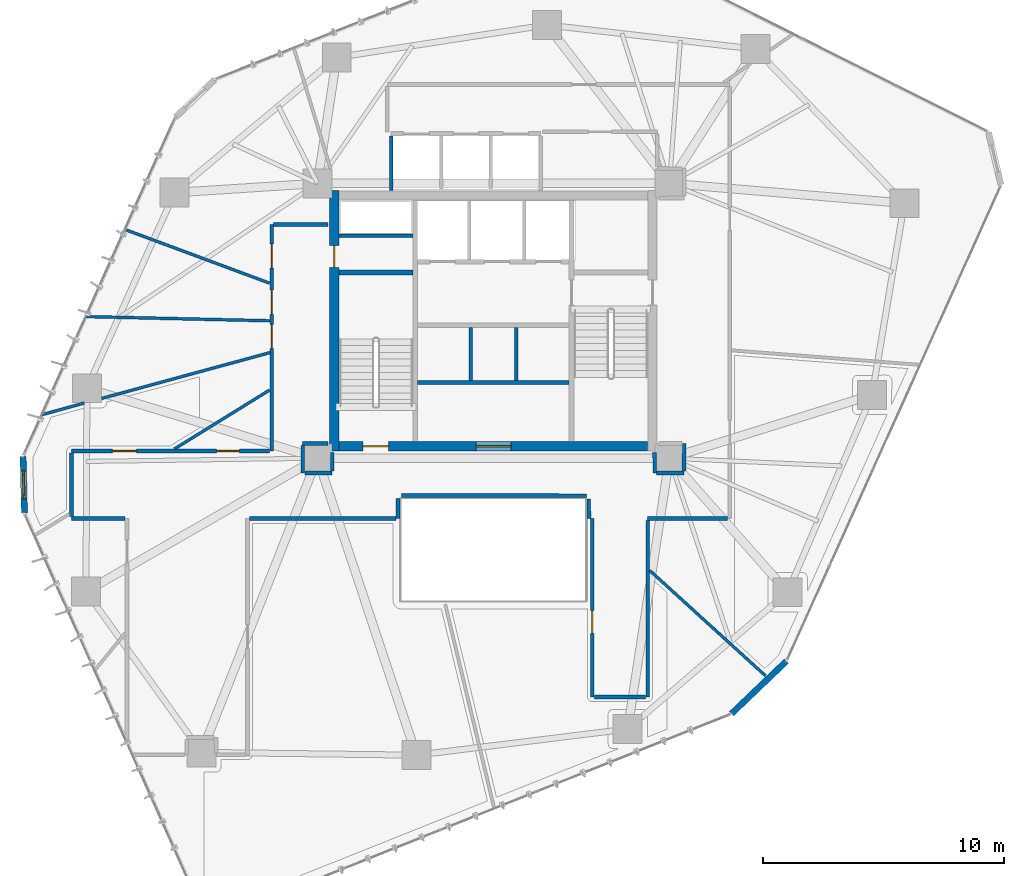
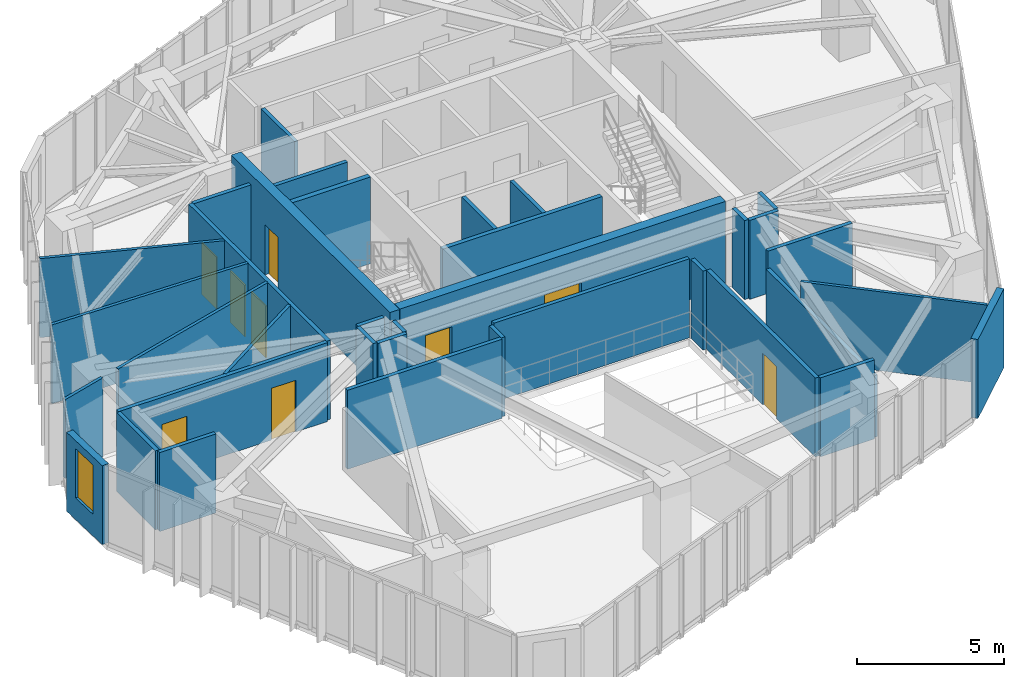
# One storey, part 17 of 22: 36 walls, 9 doors, 1 window, 10 openings.
"""IFC4 building model written with IfcOpenShell, lengths in metres."""

from ifc_helpers import new_model, si_unit, direction, frame, frame_2d, origin, place, context, subcontext, project, spatial, rectangle, extrude, source, transform, mapped, material, layer, layer_set, type_object, type_shapes, element, fill, save


model = new_model("IFC4")

# Units and contexts
model_context = context("Model", 3, precision=1e-05, world=origin(), true_north=direction((0.0, 1.0)))
body_context = subcontext(model_context, "Body", "Model", "MODEL_VIEW")
ifc_project = project(units=[si_unit("LENGTHUNIT", "METRE"), si_unit("AREAUNIT", "SQUARE_METRE"), si_unit("VOLUMEUNIT", "CUBIC_METRE"), si_unit("PLANEANGLEUNIT", "RADIAN"), si_unit("MASSUNIT", "GRAM", prefix="KILO")], contexts=[model_context])

# Site, building, storey
site_placement = place(None, origin())
site = spatial("IfcSite", under=ifc_project, at=site_placement, CompositionType="ELEMENT")
building_placement = place(site_placement, origin())
building = spatial("IfcBuilding", under=site, at=building_placement, Name="Talar Marvaseh", CompositionType="ELEMENT")
storey_placement = place(building_placement, frame((0.0, 0.0, 154.199951171875)))
storey = spatial("IfcBuildingStorey", under=building, at=storey_placement, Name="L40", CompositionType="ELEMENT", Elevation=154.199951171875)

# Wall, opening, window
ifc_material_1 = material(Name="Precast concrete C45/55", Category="concrete")
ifc_layer_1 = layer(ifc_material_1, 0.2548828125)
ifc_layer_set_1 = layer_set([ifc_layer_1], Name="Precast concrete C45/55")
wall_type_1 = type_object("IfcWallType", Name="Chamfered Hexagonal Corner Pier Wall Z2 255", PredefinedType="SOLIDWALL", material=ifc_layer_set_1)
wall_1_placement = place(storey_placement, frame((6.54638671875, 23.2275390625, 0.0), z_axis=(0.0, 0.0, 1.0), x_axis=(-0.024093160645, 0.999709717673, 0.0)))
wall_1 = element("IfcWall", 1, at=wall_1_placement, inside=storey, type_object=wall_type_1, Name="L40 Chamfered Corner Limestone Pier 2", PredefinedType="SOLIDWALL", context=body_context, shape_type="SweptSolid", body=[
    extrude(rectangle(XDim=2.3408203125, YDim=0.2548828125, at=frame_2d((1.17041015625, 0.0))), origin(), (0.0, 0.0, 1.0), 3.280029296875),
])
opening_1_placement = place(wall_1_placement, frame((0.594970703125, 0.0, 0.89990234375)))
opening_1 = element("IfcOpeningElement", 2, at=opening_1_placement, cuts=wall_1, Name="Opening WN-CHM11", PredefinedType="OPENING", context=body_context, shape_type="SweptSolid", body=[
    extrude(rectangle(XDim=1.14990234375, YDim=2.050048828125, at=frame_2d((0.574951171875, 1.02490234375))), frame((0.0, 0.137451171875, 0.0), z_axis=(0.0, -1.0, 0.0), x_axis=(1.0, 0.0, 0.0)), (0.0, 0.0, 1.0), 0.27490234375),
])
ifc_material_2 = material(Name="Laminated Low-E Solar Glass", Category="glass")
window_type = type_object("IfcWindowType", Name="Zone 2 Chamfered Corner Slot Window 1150x2050", PartitioningType="SINGLE_PANEL", PredefinedType="WINDOW", material=ifc_material_2)
shared_shape_1 = source(origin(), body_context, "Body", "SweptSolid", [
    extrude(rectangle(XDim=1.14990234375, YDim=2.050048828125, at=frame_2d((0.574951171875, 1.02490234375))), frame((0.0, 0.030029296875, 0.0), z_axis=(0.0, -1.0, 0.0), x_axis=(1.0, 0.0, 0.0)), (0.0, 0.0, 1.0), 0.06005859375),
])
type_shapes(window_type, [shared_shape_1])
window_placement = place(opening_1_placement, origin())
window = element("IfcWindow", 3, at=window_placement, inside=storey, type_object=window_type, Name="L40 Chamfered Corner Slot Window", OverallHeight=2.050048828125, OverallWidth=1.14990234375, PartitioningType="SINGLE_PANEL", PredefinedType="WINDOW", context=body_context, shape_type="MappedRepresentation", body=[
    mapped(shared_shape_1, transform((0.0, 0.0, 0.0), x_axis=(1.0, 0.0, 0.0), y_axis=(0.0, 1.0, 0.0), z_axis=(0.0, 0.0, 1.0), scale=1.0)),
])
fill(opening_1, window)

# Walls
wall_2_placement = place(storey_placement, frame((38.15576171875, 17.083251953125, 0.0), z_axis=(0.0, 0.0, 1.0), x_axis=(-0.722337616241, -0.691540575934, 0.0)))
element("IfcWall", 4, at=wall_2_placement, inside=storey, type_object=wall_type_1, Name="L40 Chamfered Corner Limestone Pier 6", PredefinedType="SOLIDWALL", context=body_context, shape_type="SweptSolid", body=[
    extrude(rectangle(XDim=3.155029296875, YDim=0.2548828125, at=frame_2d((1.57763671875, 0.0))), origin(), (0.0, 0.0, 1.0), 3.280029296875),
])
ifc_material_3 = material(Name="Gypsum Board Partition Assembly")
ifc_layer_2 = layer(ifc_material_3, 0.155029296875)
ifc_layer_set_2 = layer_set([ifc_layer_2], Name="Gypsum Board Partition Assembly")
wall_type_2 = type_object("IfcWallType", Name="Corridor Fire-Rated Acoustic Partition 155", PredefinedType="PARTITIONING", material=ifc_layer_set_2)
wall_3_placement = place(storey_placement, frame((19.60009765625, 34.72998046875, 0.0), z_axis=(0.0, 0.0, 1.0), x_axis=(1.0, 0.0, 0.0)))
element("IfcWall", 5, at=wall_3_placement, inside=storey, type_object=wall_type_2, Name="L40 Core BOH Partition", PredefinedType="PARTITIONING", context=body_context, shape_type="SweptSolid", body=[
    extrude(rectangle(XDim=3.059814453125, YDim=0.155029296875, at=frame_2d((1.52978515625, 0.0))), origin(), (0.0, 0.0, 1.0), 3.280029296875),
])

# Wall, openings, doors
wall_4_placement = place(storey_placement, frame((16.800048828125, 25.800048828125, 0.0), z_axis=(0.0, 0.0, 1.0), x_axis=(0.0, 1.0, 0.0)))
wall_4 = element("IfcWall", 6, at=wall_4_placement, inside=storey, type_object=wall_type_2, Name="L40 Interior Partition Wall", PredefinedType="PARTITIONING", context=body_context, shape_type="SweptSolid", body=[
    extrude(rectangle(XDim=9.39990234375, YDim=0.155029296875, at=frame_2d((4.699951171875, 0.0))), origin(), (0.0, 0.0, 1.0), 3.280029296875),
])
opening_2_placement = place(wall_4_placement, frame((7.595947265625, 0.0, 0.0)))
opening_2 = element("IfcOpeningElement", 7, at=opening_2_placement, cuts=wall_4, Name="Opening DR-RM100", PredefinedType="OPENING", context=body_context, shape_type="SweptSolid", body=[
    extrude(rectangle(XDim=1.0, YDim=2.14990234375, at=frame_2d((0.5, 1.074951171875))), frame((0.0, 0.08740234375, 0.0), z_axis=(0.0, -1.0, 0.0), x_axis=(1.0, 0.0, 0.0)), (0.0, 0.0, 1.0), 0.175048828125),
])
opening_3_placement = place(wall_4_placement, frame((5.669921875, 0.0, 0.0)))
opening_3 = element("IfcOpeningElement", 8, at=opening_3_placement, cuts=wall_4, Name="Opening DR-RM100", PredefinedType="OPENING", context=body_context, shape_type="SweptSolid", body=[
    extrude(rectangle(XDim=1.0, YDim=2.14990234375, at=frame_2d((0.5, 1.074951171875))), frame((0.0, 0.08740234375, 0.0), z_axis=(0.0, -1.0, 0.0), x_axis=(1.0, 0.0, 0.0)), (0.0, 0.0, 1.0), 0.175048828125),
])
opening_4_placement = place(wall_4_placement, frame((4.24755859375, 0.0, 0.0)))
opening_4 = element("IfcOpeningElement", 9, at=opening_4_placement, cuts=wall_4, Name="Opening DR-RM100", PredefinedType="OPENING", context=body_context, shape_type="SweptSolid", body=[
    extrude(rectangle(XDim=1.0, YDim=2.14990234375, at=frame_2d((0.5, 1.074951171875))), frame((0.0, 0.08740234375, 0.0), z_axis=(0.0, -1.0, 0.0), x_axis=(1.0, 0.0, 0.0)), (0.0, 0.0, 1.0), 0.175048828125),
])
ifc_material_4 = material(Name="Acoustic Engineered Oak Timber", Category="wood")
door_type_1 = type_object("IfcDoorType", Name="Corridor Fire-Rated Gallery Door 1000x2150", OperationType="NOTDEFINED", PredefinedType="DOOR", material=ifc_material_4)
shared_shape_2 = source(origin(), body_context, "Body", "SweptSolid", [
    extrude(rectangle(XDim=1.0, YDim=2.14990234375, at=frame_2d((0.5, 1.074951171875))), frame((0.0, 0.02490234375, 0.0), z_axis=(0.0, -1.0, 0.0), x_axis=(1.0, 0.0, 0.0)), (0.0, 0.0, 1.0), 0.050048828125),
])
type_shapes(door_type_1, [shared_shape_2])
door_1_placement = place(opening_2_placement, origin())
door_1 = element("IfcDoor", 10, at=door_1_placement, inside=storey, type_object=door_type_1, Name="L40 Quiet Research Study Door", OperationType="SINGLE_SWING_RIGHT", OverallHeight=2.14990234375, OverallWidth=1.0, PredefinedType="DOOR", context=body_context, shape_type="MappedRepresentation", body=[
    mapped(shared_shape_2, transform((0.0, 0.0, 0.0), x_axis=(1.0, 0.0, 0.0), y_axis=(0.0, 1.0, 0.0), z_axis=(0.0, 0.0, 1.0), scale=1.0)),
])
fill(opening_2, door_1)
door_2_placement = place(opening_3_placement, origin())
door_2 = element("IfcDoor", 11, at=door_2_placement, inside=storey, type_object=door_type_1, Name="L40 Editorial Administration Office Door", OperationType="SINGLE_SWING_LEFT", OverallHeight=2.14990234375, OverallWidth=1.0, PredefinedType="DOOR", context=body_context, shape_type="MappedRepresentation", body=[
    mapped(shared_shape_2, transform((0.0, 0.0, 0.0), x_axis=(1.0, 0.0, 0.0), y_axis=(0.0, 1.0, 0.0), z_axis=(0.0, 0.0, 1.0), scale=1.0)),
])
fill(opening_3, door_2)
door_3_placement = place(opening_4_placement, origin())
door_3 = element("IfcDoor", 12, at=door_3_placement, inside=storey, type_object=door_type_1, Name="L40 Curatorial Office 2 Door", OperationType="SINGLE_SWING_RIGHT", OverallHeight=2.14990234375, OverallWidth=1.0, PredefinedType="DOOR", context=body_context, shape_type="MappedRepresentation", body=[
    mapped(shared_shape_2, transform((0.0, 0.0, 0.0), x_axis=(1.0, 0.0, 0.0), y_axis=(0.0, 1.0, 0.0), z_axis=(0.0, 0.0, 1.0), scale=1.0)),
])
fill(opening_4, door_3)

# Wall, opening, door
wall_5_placement = place(storey_placement, frame((30.10009765625, 15.60009765625, 0.0), z_axis=(0.0, 0.0, 1.0), x_axis=(0.0, 1.0, 0.0)))
wall_5 = element("IfcWall", 13, at=wall_5_placement, inside=storey, type_object=wall_type_2, Name="L40 Interior Partition Wall", PredefinedType="PARTITIONING", context=body_context, shape_type="SweptSolid", body=[
    extrude(rectangle(XDim=7.39990234375, YDim=0.155029296875, at=frame_2d((3.699951171875, 0.0))), origin(), (0.0, 0.0, 1.0), 3.280029296875),
])
opening_5_placement = place(wall_5_placement, frame((2.633056640625, 0.0, 0.0)))
opening_5 = element("IfcOpeningElement", 14, at=opening_5_placement, cuts=wall_5, Name="Opening DR-WC095", PredefinedType="OPENING", context=body_context, shape_type="SweptSolid", body=[
    extrude(rectangle(XDim=0.949951171875, YDim=2.14990234375, at=frame_2d((0.47509765625, 1.074951171875))), frame((0.0, 0.08740234375, 0.0), z_axis=(0.0, -1.0, 0.0), x_axis=(1.0, 0.0, 0.0)), (0.0, 0.0, 1.0), 0.175048828125),
])
door_type_2 = type_object("IfcDoorType", Name="Washroom and Service Room Door 950x2150", OperationType="NOTDEFINED", PredefinedType="DOOR", material=ifc_material_4)
shared_shape_3 = source(origin(), body_context, "Body", "SweptSolid", [
    extrude(rectangle(XDim=0.949951171875, YDim=2.14990234375, at=frame_2d((0.47509765625, 1.074951171875))), frame((0.0, 0.02490234375, 0.0), z_axis=(0.0, -1.0, 0.0), x_axis=(1.0, 0.0, 0.0)), (0.0, 0.0, 1.0), 0.050048828125),
])
type_shapes(door_type_2, [shared_shape_3])
door_4_placement = place(opening_5_placement, origin())
door_4 = element("IfcDoor", 15, at=door_4_placement, inside=storey, type_object=door_type_2, Name="L40 Scholars' Servery Pantry Door", OperationType="SINGLE_SWING_LEFT", OverallHeight=2.14990234375, OverallWidth=0.949951171875, PredefinedType="DOOR", context=body_context, shape_type="MappedRepresentation", body=[
    mapped(shared_shape_3, transform((0.0, 0.0, 0.0), x_axis=(1.0, 0.0, 0.0), y_axis=(0.0, 1.0, 0.0), z_axis=(0.0, 0.0, 1.0), scale=1.0)),
])
fill(opening_5, door_4)

# Wall, openings, doors
wall_6_placement = place(storey_placement, frame((8.5, 25.800048828125, 0.0), z_axis=(0.0, 0.0, 1.0), x_axis=(1.0, 0.0, 0.0)))
wall_6 = element("IfcWall", 16, at=wall_6_placement, inside=storey, type_object=wall_type_2, Name="L40 Interior Partition Wall", PredefinedType="PARTITIONING", context=body_context, shape_type="SweptSolid", body=[
    extrude(rectangle(XDim=8.216552734375, YDim=0.155029296875, at=frame_2d((4.1083984375, 0.0))), origin(), (0.0, 0.0, 1.0), 3.280029296875),
])
opening_6_placement = place(wall_6_placement, frame((1.698974609375, 0.0, 0.0)))
opening_6 = element("IfcOpeningElement", 17, at=opening_6_placement, cuts=wall_6, Name="Opening DR-RM100", PredefinedType="OPENING", context=body_context, shape_type="SweptSolid", body=[
    extrude(rectangle(XDim=1.0, YDim=2.14990234375, at=frame_2d((0.5, 1.074951171875))), frame((0.0, 0.08740234375, 0.0), z_axis=(0.0, -1.0, 0.0), x_axis=(1.0, 0.0, 0.0)), (0.0, 0.0, 1.0), 0.175048828125),
])
opening_7_placement = place(wall_6_placement, frame((6.015625, 0.0, 0.0)))
opening_7 = element("IfcOpeningElement", 18, at=opening_7_placement, cuts=wall_6, Name="Opening DR-WC095", PredefinedType="OPENING", context=body_context, shape_type="SweptSolid", body=[
    extrude(rectangle(XDim=0.949951171875, YDim=2.14990234375, at=frame_2d((0.47509765625, 1.074951171875))), frame((0.0, 0.08740234375, 0.0), z_axis=(0.0, -1.0, 0.0), x_axis=(1.0, 0.0, 0.0)), (0.0, 0.0, 1.0), 0.175048828125),
])
door_5_placement = place(opening_7_placement, origin())
door_5 = element("IfcDoor", 19, at=door_5_placement, inside=storey, type_object=door_type_2, Name="L40 WC Public Washrooms Door", OperationType="SINGLE_SWING_RIGHT", OverallHeight=2.14990234375, OverallWidth=0.949951171875, PredefinedType="DOOR", context=body_context, shape_type="MappedRepresentation", body=[
    mapped(shared_shape_3, transform((0.0, 0.0, 0.0), x_axis=(1.0, 0.0, 0.0), y_axis=(0.0, 1.0, 0.0), z_axis=(0.0, 0.0, 1.0), scale=1.0)),
])
fill(opening_7, door_5)
door_6_placement = place(opening_6_placement, origin())
door_6 = element("IfcDoor", 20, at=door_6_placement, inside=storey, type_object=door_type_1, Name="L40 Curatorial Office Door", OperationType="SINGLE_SWING_LEFT", OverallHeight=2.14990234375, OverallWidth=1.0, PredefinedType="DOOR", context=body_context, shape_type="MappedRepresentation", body=[
    mapped(shared_shape_2, transform((0.0, 0.0, 0.0), x_axis=(1.0, 0.0, 0.0), y_axis=(0.0, 1.0, 0.0), z_axis=(0.0, 0.0, 1.0), scale=1.0)),
])
fill(opening_6, door_6)

# Walls
wall_7_placement = place(storey_placement, frame((16.883544921875, 35.199951171875, 0.0), z_axis=(0.0, 0.0, 1.0), x_axis=(1.0, 0.0, 0.0)))
element("IfcWall", 21, at=wall_7_placement, inside=storey, type_object=wall_type_2, Name="L40 Interior Partition Wall", PredefinedType="PARTITIONING", context=body_context, shape_type="SweptSolid", body=[
    extrude(rectangle(XDim=2.246337890625, YDim=0.155029296875, at=frame_2d((1.123046875, 0.0))), origin(), (0.0, 0.0, 1.0), 3.280029296875),
])
wall_8_placement = place(storey_placement, frame((19.1298828125, 26.114990234375, 0.0), z_axis=(0.0, 0.0, 1.0), x_axis=(-0.999986702653, -0.005156987215, 0.0)))
element("IfcWall", 22, at=wall_8_placement, inside=storey, type_object=wall_type_2, Name="L40 Interior Partition Wall", PredefinedType="PARTITIONING", context=body_context, shape_type="SweptSolid", body=[
    extrude(rectangle(XDim=1.04150390625, YDim=0.155029296875, at=frame_2d((0.520751953125, 0.0))), origin(), (0.0, 0.0, 1.0), 3.280029296875),
])
wall_9_placement = place(storey_placement, frame((18.088623046875, 26.02587890625, 0.0), z_axis=(0.0, 0.0, 1.0), x_axis=(0.002787893948, -0.999996113816, 0.0)))
element("IfcWall", 23, at=wall_9_placement, inside=storey, type_object=wall_type_2, Name="L40 Interior Partition Wall", PredefinedType="PARTITIONING", context=body_context, shape_type="SweptSolid", body=[
    extrude(rectangle(XDim=1.138427734375, YDim=0.155029296875, at=frame_2d((0.5693359375, 0.0))), origin(), (0.0, 0.0, 1.0), 3.280029296875),
])
wall_10_placement = place(storey_placement, frame((18.17529296875, 24.8876953125, 0.0), z_axis=(0.0, 0.0, 1.0), x_axis=(0.999999791525, 0.000645716611, 0.0)))
element("IfcWall", 24, at=wall_10_placement, inside=storey, type_object=wall_type_2, Name="L40 Interior Partition Wall", PredefinedType="PARTITIONING", context=body_context, shape_type="SweptSolid", body=[
    extrude(rectangle(XDim=1.13427734375, YDim=0.155029296875, at=frame_2d((0.567138671875, 0.0))), origin(), (0.0, 0.0, 1.0), 3.280029296875),
])
wall_11_placement = place(storey_placement, frame((19.31005859375, 24.971923828125, 0.0), z_axis=(0.0, 0.0, 1.0), x_axis=(0.006441090216, 0.999979255963, 0.0)))
element("IfcWall", 25, at=wall_11_placement, inside=storey, type_object=wall_type_2, Name="L40 Interior Partition Wall", PredefinedType="PARTITIONING", context=body_context, shape_type="SweptSolid", body=[
    extrude(rectangle(XDim=0.758056640625, YDim=0.155029296875, at=frame_2d((0.37890625, 0.0))), origin(), (0.0, 0.0, 1.0), 3.280029296875),
])
wall_12_placement = place(storey_placement, frame((32.68505859375, 25.72998046875, 0.0), z_axis=(0.0, 0.0, 1.0), x_axis=(0.006382231486, -0.999979633353, 0.0)))
element("IfcWall", 26, at=wall_12_placement, inside=storey, type_object=wall_type_2, Name="L40 Interior Partition Wall", PredefinedType="PARTITIONING", context=body_context, shape_type="SweptSolid", body=[
    extrude(rectangle(XDim=0.841552734375, YDim=0.155029296875, at=frame_2d((0.4208984375, 0.0))), origin(), (0.0, 0.0, 1.0), 3.280029296875),
])
wall_13_placement = place(storey_placement, frame((32.77392578125, 24.88818359375, 0.0), z_axis=(0.0, 0.0, 1.0), x_axis=(0.999999164303, -0.001292823742, 0.0)))
element("IfcWall", 27, at=wall_13_placement, inside=storey, type_object=wall_type_2, Name="L40 Interior Partition Wall", PredefinedType="PARTITIONING", context=body_context, shape_type="SweptSolid", body=[
    extrude(rectangle(XDim=1.133056640625, YDim=0.155029296875, at=frame_2d((0.56640625, 0.0))), origin(), (0.0, 0.0, 1.0), 3.280029296875),
])
wall_14_placement = place(storey_placement, frame((33.907470703125, 24.97021484375, 0.0), z_axis=(0.0, 0.0, 1.0), x_axis=(0.003642572792, 0.99999336581, 0.0)))
element("IfcWall", 28, at=wall_14_placement, inside=storey, type_object=wall_type_2, Name="L40 Interior Partition Wall", PredefinedType="PARTITIONING", context=body_context, shape_type="SweptSolid", body=[
    extrude(rectangle(XDim=1.139404296875, YDim=0.155029296875, at=frame_2d((0.56982421875, 0.0))), origin(), (0.0, 0.0, 1.0), 3.280029296875),
])
wall_15_placement = place(storey_placement, frame((35.716552734375, 23.0, 0.0), z_axis=(0.0, 0.0, 1.0), x_axis=(-1.0, 0.0, 0.0)))
element("IfcWall", 29, at=wall_15_placement, inside=storey, type_object=wall_type_2, Name="L40 Interior Partition Wall", PredefinedType="PARTITIONING", context=body_context, shape_type="SweptSolid", body=[
    extrude(rectangle(XDim=3.316650390625, YDim=0.155029296875, at=frame_2d((1.658203125, 0.0))), origin(), (0.0, 0.0, 1.0), 3.280029296875),
])
wall_16_placement = place(storey_placement, frame((32.39990234375, 22.91650390625, 0.0), z_axis=(0.0, 0.0, 1.0), x_axis=(0.0, -1.0, 0.0)))
element("IfcWall", 30, at=wall_16_placement, inside=storey, type_object=wall_type_2, Name="L40 Interior Partition Wall", PredefinedType="PARTITIONING", context=body_context, shape_type="SweptSolid", body=[
    extrude(rectangle(XDim=7.31640625, YDim=0.155029296875, at=frame_2d((3.658203125, 0.0))), origin(), (0.0, 0.0, 1.0), 2.56005859375),
])
wall_17_placement = place(storey_placement, frame((32.31640625, 15.60009765625, 0.0), z_axis=(0.0, 0.0, 1.0), x_axis=(-1.0, 0.0, 0.0)))
element("IfcWall", 31, at=wall_17_placement, inside=storey, type_object=wall_type_2, Name="L40 Interior Partition Wall", PredefinedType="PARTITIONING", context=body_context, shape_type="SweptSolid", body=[
    extrude(rectangle(XDim=2.1328125, YDim=0.155029296875, at=frame_2d((1.06640625, 0.0))), origin(), (0.0, 0.0, 1.0), 3.280029296875),
])
wall_18_placement = place(storey_placement, frame((29.9599609375, 23.0, 0.0), z_axis=(0.0, 0.0, 1.0), x_axis=(-0.000897934388, 0.999999596857, 0.0)))
element("IfcWall", 32, at=wall_18_placement, inside=storey, type_object=wall_type_2, Name="L40 Interior Partition Wall", PredefinedType="PARTITIONING", context=body_context, shape_type="SweptSolid", body=[
    extrude(rectangle(XDim=0.815673828125, YDim=0.155029296875, at=frame_2d((0.40771484375, 0.0))), origin(), (0.0, 0.0, 1.0), 3.280029296875),
])
wall_19_placement = place(storey_placement, frame((29.861083984375, 23.94775390625, 0.0), z_axis=(0.0, 0.0, 1.0), x_axis=(-0.999998882907, 0.001494719104, 0.0)))
element("IfcWall", 33, at=wall_19_placement, inside=storey, type_object=wall_type_2, Name="L40 Interior Partition Wall", PredefinedType="PARTITIONING", context=body_context, shape_type="SweptSolid", body=[
    extrude(rectangle(XDim=7.6767578125, YDim=0.155029296875, at=frame_2d((3.83837890625, 0.0))), origin(), (0.0, 0.0, 1.0), 3.280029296875),
])
wall_20_placement = place(storey_placement, frame((22.043212890625, 23.831298828125, 0.0), z_axis=(0.0, 0.0, 1.0), x_axis=(-0.003817887006, -0.999992711843, 0.0)))
element("IfcWall", 34, at=wall_20_placement, inside=storey, type_object=wall_type_2, Name="L40 Interior Partition Wall", PredefinedType="PARTITIONING", context=body_context, shape_type="SweptSolid", body=[
    extrude(rectangle(XDim=0.831298828125, YDim=0.155029296875, at=frame_2d((0.41552734375, 0.0))), origin(), (0.0, 0.0, 1.0), 3.280029296875),
])
wall_21_placement = place(storey_placement, frame((21.95654296875, 23.0, 0.0), z_axis=(0.0, 0.0, 1.0), x_axis=(-1.0, 0.0, 0.0)))
element("IfcWall", 35, at=wall_21_placement, inside=storey, type_object=wall_type_2, Name="L40 Interior Partition Wall", PredefinedType="PARTITIONING", context=body_context, shape_type="SweptSolid", body=[
    extrude(rectangle(XDim=6.072998046875, YDim=0.155029296875, at=frame_2d((3.03662109375, 0.0))), origin(), (0.0, 0.0, 1.0), 3.280029296875),
])
wall_22_placement = place(storey_placement, frame((10.716552734375, 23.0, 0.0), z_axis=(0.0, 0.0, 1.0), x_axis=(-1.0, 0.0, 0.0)))
element("IfcWall", 36, at=wall_22_placement, inside=storey, type_object=wall_type_2, Name="L40 Interior Partition Wall", PredefinedType="PARTITIONING", context=body_context, shape_type="SweptSolid", body=[
    extrude(rectangle(XDim=2.216552734375, YDim=0.155029296875, at=frame_2d((1.1083984375, 0.0))), origin(), (0.0, 0.0, 1.0), 3.280029296875),
])
wall_23_placement = place(storey_placement, frame((8.5, 23.08349609375, 0.0), z_axis=(0.0, 0.0, 1.0), x_axis=(0.0, 1.0, 0.0)))
element("IfcWall", 37, at=wall_23_placement, inside=storey, type_object=wall_type_2, Name="L40 Interior Partition Wall", PredefinedType="PARTITIONING", context=body_context, shape_type="SweptSolid", body=[
    extrude(rectangle(XDim=2.633056640625, YDim=0.155029296875, at=frame_2d((1.31640625, 0.0))), origin(), (0.0, 0.0, 1.0), 3.280029296875),
])
ifc_layer_3 = layer(ifc_material_3, 0.1201171875)
ifc_layer_set_3 = layer_set([ifc_layer_3], Name="Gypsum Board Partition Assembly")
wall_type_3 = type_object("IfcWallType", Name="Demountable Studio Room Partition 120", PredefinedType="PARTITIONING", material=ifc_layer_set_3)
wall_24_placement = place(storey_placement, frame((16.716552734375, 28.328369140625, 0.0), z_axis=(0.0, 0.0, 1.0), x_axis=(-0.850403959132, -0.526130313033, 0.0)))
element("IfcWall", 38, at=wall_24_placement, inside=storey, type_object=wall_type_3, Name="L40 Interior Partition Wall", PredefinedType="PARTITIONING", context=body_context, shape_type="SweptSolid", body=[
    extrude(rectangle(XDim=4.646728515625, YDim=0.1201171875, at=frame_2d((2.3232421875, 0.0))), origin(), (0.0, 0.0, 1.0), 3.280029296875),
])
wall_25_placement = place(storey_placement, frame((7.286376953125, 27.30810546875, 0.0), z_axis=(0.0, 0.0, 1.0), x_axis=(0.963861272147, 0.266404669731, 0.0)))
element("IfcWall", 39, at=wall_25_placement, inside=storey, type_object=wall_type_3, Name="L40 Interior Partition Wall", PredefinedType="PARTITIONING", context=body_context, shape_type="SweptSolid", body=[
    extrude(rectangle(XDim=1.80908203125, YDim=0.1201171875, at=frame_2d((0.904541015625, 0.0))), origin(), (0.0, 0.0, 1.0), 3.280029296875),
])
wall_26_placement = place(storey_placement, frame((9.75, 27.97998046875, 0.0), z_axis=(0.0, 0.0, 1.0), x_axis=(0.964861780879, 0.26275795668, 0.0)))
element("IfcWall", 40, at=wall_26_placement, inside=storey, type_object=wall_type_3, Name="L40 Interior Partition Wall", PredefinedType="PARTITIONING", context=body_context, shape_type="SweptSolid", body=[
    extrude(rectangle(XDim=7.24169921875, YDim=0.1201171875, at=frame_2d((3.620849609375, 0.0))), origin(), (0.0, 0.0, 1.0), 3.280029296875),
])
wall_27_placement = place(storey_placement, frame((32.4833984375, 20.843994140625, 0.0), z_axis=(0.0, 0.0, 1.0), x_axis=(0.739817550942, -0.672807544041, 0.0)))
element("IfcWall", 41, at=wall_27_placement, inside=storey, type_object=wall_type_3, Name="L40 Interior Partition Wall", PredefinedType="PARTITIONING", context=body_context, shape_type="SweptSolid", body=[
    extrude(rectangle(XDim=6.492431640625, YDim=0.1201171875, at=frame_2d((3.24609375, 0.0))), origin(), (0.0, 0.0, 1.0), 3.280029296875),
])
wall_28_placement = place(storey_placement, frame((16.716552734375, 32.760986328125, 0.0), z_axis=(0.0, 0.0, 1.0), x_axis=(-0.93749915197, 0.347987557328, 0.0)))
element("IfcWall", 42, at=wall_28_placement, inside=storey, type_object=wall_type_3, Name="L40 Interior Partition Wall", PredefinedType="PARTITIONING", context=body_context, shape_type="SweptSolid", body=[
    extrude(rectangle(XDim=6.37744140625, YDim=0.1201171875, at=frame_2d((3.188720703125, 0.0))), origin(), (0.0, 0.0, 1.0), 3.280029296875),
])
wall_29_placement = place(storey_placement, frame((16.735107421875, 31.201416015625, 0.0), z_axis=(0.0, 0.0, 1.0), x_axis=(-0.999742000913, 0.022714128009, 0.0)))
element("IfcWall", 43, at=wall_29_placement, inside=storey, type_object=wall_type_3, Name="L40 Interior Partition Wall", PredefinedType="PARTITIONING", context=body_context, shape_type="SweptSolid", body=[
    extrude(rectangle(XDim=7.62060546875, YDim=0.1201171875, at=frame_2d((3.810302734375, 0.0))), origin(), (0.0, 0.0, 1.0), 3.280029296875),
])
ifc_layer_4 = layer(ifc_material_1, 0.14501953125)
ifc_layer_set_4 = layer_set([ifc_layer_4], Name="Precast concrete C45/55")
wall_type_4 = type_object("IfcWallType", Name="Fire-Rated Lift Divider Wall 145", PredefinedType="SOLIDWALL", material=ifc_layer_set_4)
for number, where, z_axis, x_axis, name in (
    (44, (25.050048828125, 28.719970703125, 0.0), (0.0, 0.0, 1.0), (0.0, 1.0, 0.0), "L40 PL-H1/PL-H2 Divider"),
    (45, (26.949951171875, 28.719970703125, 0.0), (0.0, 0.0, 1.0), (0.0, 1.0, 0.0), "L40 PL-H2/PL-H3 Divider"),
):
    element("IfcWall", number, at=place(storey_placement, frame(where, z_axis=z_axis, x_axis=x_axis)), inside=storey, type_object=wall_type_4, Name=name, PredefinedType="SOLIDWALL", context=body_context, shape_type="SweptSolid", body=[
        extrude(rectangle(XDim=2.20654296875, YDim=0.14501953125, at=frame_2d((1.103271484375, 0.0))), origin(), (0.0, 0.0, 1.0), 3.280029296875),
    ])
wall_30_placement = place(storey_placement, frame((21.760009765625, 36.60009765625, 0.0), z_axis=(0.0, 0.0, 1.0), x_axis=(0.0, 1.0, 0.0)))
element("IfcWall", 46, at=wall_30_placement, inside=storey, type_object=wall_type_4, Name="L40 Low-Rise Bank West Wall", PredefinedType="SOLIDWALL", context=body_context, shape_type="SweptSolid", body=[
    extrude(rectangle(XDim=2.266357421875, YDim=0.14501953125, at=frame_2d((1.13330078125, 0.0))), origin(), (0.0, 0.0, 1.0), 3.280029296875),
])
ifc_layer_5 = layer(ifc_material_1, 0.175048828125)
ifc_layer_set_5 = layer_set([ifc_layer_5], Name="Precast concrete C45/55")
wall_type_5 = type_object("IfcWallType", Name="Fire-Rated Lift Hoistway Enclosure Wall 175", PredefinedType="SOLIDWALL", material=ifc_layer_set_5)
wall_31_placement = place(storey_placement, frame((22.860107421875, 28.639892578125, 0.0), z_axis=(0.0, 0.0, 1.0), x_axis=(1.0, 0.0, 0.0)))
element("IfcWall", 47, at=wall_31_placement, inside=storey, type_object=wall_type_5, Name="L40 High-Rise Lift Bank Front Wall", PredefinedType="SOLIDWALL", context=body_context, shape_type="SweptSolid", body=[
    extrude(rectangle(XDim=6.27978515625, YDim=0.175048828125, at=frame_2d((3.139892578125, 0.0))), origin(), (0.0, 0.0, 1.0), 3.280029296875),
])

# Wall, opening, door
ifc_material_5 = material(Name="Concrete C60/75", Category="concrete")
ifc_layer_6 = layer(ifc_material_5, 0.3798828125)
ifc_layer_set_6 = layer_set([ifc_layer_6], Name="Concrete C60/75")
wall_type_6 = type_object("IfcWallType", Name="Mid Core Reinforced Concrete Shear Wall 380", PredefinedType="SHEAR", material=ifc_layer_set_6)
wall_32_placement = place(storey_placement, frame((19.39990234375, 25.800048828125, 0.0), z_axis=(0.0, 0.0, 1.0), x_axis=(0.0, 1.0, 0.0)))
wall_32 = element("IfcWall", 48, at=wall_32_placement, inside=storey, type_object=wall_type_6, Name="L40 West Core Shear Wall", PredefinedType="SHEAR", context=body_context, shape_type="SweptSolid", body=[
    extrude(rectangle(XDim=10.800048828125, YDim=0.3798828125, at=frame_2d((5.39990234375, 0.0))), origin(), (0.0, 0.0, 1.0), 3.60009765625),
])
opening_8_placement = place(wall_32_placement, frame((7.6201171875, 0.0, 0.0)))
opening_8 = element("IfcOpeningElement", 49, at=opening_8_placement, cuts=wall_32, Name="Opening DR-BOH090", PredefinedType="OPENING", context=body_context, shape_type="SweptSolid", body=[
    extrude(rectangle(XDim=0.89990234375, YDim=2.10009765625, at=frame_2d((0.449951171875, 1.050048828125))), frame((0.0, 0.199951171875, 0.0), z_axis=(0.0, -1.0, 0.0), x_axis=(1.0, 0.0, 0.0)), (0.0, 0.0, 1.0), 0.39990234375),
])
ifc_material_6 = material(Name="Fire-Rated Steel Door Leaf", Category="steel")
door_type_3 = type_object("IfcDoorType", Name="Core Back-of-House Service Door 900x2100", OperationType="NOTDEFINED", PredefinedType="DOOR", material=ifc_material_6)
shared_shape_4 = source(origin(), body_context, "Body", "SweptSolid", [
    extrude(rectangle(XDim=0.89990234375, YDim=2.10009765625, at=frame_2d((0.449951171875, 1.050048828125))), frame((0.0, 0.02490234375, 0.0), z_axis=(0.0, -1.0, 0.0), x_axis=(1.0, 0.0, 0.0)), (0.0, 0.0, 1.0), 0.050048828125),
])
type_shapes(door_type_3, [shared_shape_4])
door_7_placement = place(opening_8_placement, origin())
door_7 = element("IfcDoor", 50, at=door_7_placement, inside=storey, type_object=door_type_3, Name="L40 Cleaner Core West Closet Door", OperationType="SINGLE_SWING_LEFT", OverallHeight=2.10009765625, OverallWidth=0.89990234375, PredefinedType="DOOR", context=body_context, shape_type="MappedRepresentation", body=[
    mapped(shared_shape_4, transform((0.0, 0.0, 0.0), x_axis=(1.0, 0.0, 0.0), y_axis=(0.0, 1.0, 0.0), z_axis=(0.0, 0.0, 1.0), scale=1.0)),
])
fill(opening_8, door_7)

# Wall, openings, doors
wall_33_placement = place(storey_placement, frame((32.39990234375, 26.0, 0.0), z_axis=(0.0, 0.0, 1.0), x_axis=(-1.0, 0.0, 0.0)))
wall_33 = element("IfcWall", 51, at=wall_33_placement, inside=storey, type_object=wall_type_6, Name="L40 South Core Shear Wall", PredefinedType="SHEAR", context=body_context, shape_type="SweptSolid", body=[
    extrude(rectangle(XDim=12.7998046875, YDim=0.3798828125, at=frame_2d((6.39990234375, 0.0))), origin(), (0.0, 0.0, 1.0), 3.60009765625),
])
opening_9_placement = place(wall_33_placement, frame((10.75, 0.0, 0.0)))
opening_9 = element("IfcOpeningElement", 52, at=opening_9_placement, cuts=wall_33, Name="Opening DR-ST105", PredefinedType="OPENING", context=body_context, shape_type="SweptSolid", body=[
    extrude(rectangle(XDim=1.050048828125, YDim=2.14990234375, at=frame_2d((0.52490234375, 1.074951171875))), frame((0.0, 0.199951171875, 0.0), z_axis=(0.0, -1.0, 0.0), x_axis=(1.0, 0.0, 0.0)), (0.0, 0.0, 1.0), 0.39990234375),
])
opening_10_placement = place(wall_33_placement, frame((5.669921875, 0.0, 0.0)))
opening_10 = element("IfcOpeningElement", 53, at=opening_10_placement, cuts=wall_33, Name="Opening DR-LBY145", PredefinedType="OPENING", context=body_context, shape_type="SweptSolid", body=[
    extrude(rectangle(XDim=1.449951171875, YDim=2.199951171875, at=frame_2d((0.72509765625, 1.10009765625))), frame((0.0, 0.199951171875, 0.0), z_axis=(0.0, -1.0, 0.0), x_axis=(1.0, 0.0, 0.0)), (0.0, 0.0, 1.0), 0.39990234375),
])
door_type_4 = type_object("IfcDoorType", Name="Protected Exit Stair Fire Door 1050x2150", OperationType="NOTDEFINED", PredefinedType="DOOR", material=ifc_material_6)
shared_shape_5 = source(origin(), body_context, "Body", "SweptSolid", [
    extrude(rectangle(XDim=1.050048828125, YDim=2.14990234375, at=frame_2d((0.52490234375, 1.074951171875))), frame((0.0, 0.02490234375, 0.0), z_axis=(0.0, -1.0, 0.0), x_axis=(1.0, 0.0, 0.0)), (0.0, 0.0, 1.0), 0.050048828125),
])
type_shapes(door_type_4, [shared_shape_5])
door_8_placement = place(opening_9_placement, origin())
door_8 = element("IfcDoor", 54, at=door_8_placement, inside=storey, type_object=door_type_4, Name="L40 Stair ST-1 Exit Door", OperationType="SINGLE_SWING_RIGHT", OverallHeight=2.14990234375, OverallWidth=1.050048828125, PredefinedType="DOOR", context=body_context, shape_type="MappedRepresentation", body=[
    mapped(shared_shape_5, transform((0.0, 0.0, 0.0), x_axis=(1.0, 0.0, 0.0), y_axis=(0.0, 1.0, 0.0), z_axis=(0.0, 0.0, 1.0), scale=1.0)),
])
fill(opening_9, door_8)
door_type_5 = type_object("IfcDoorType", Name="Core Lift Lobby Double Smoke Door 1450x2200", OperationType="NOTDEFINED", PredefinedType="DOOR", material=ifc_material_6)
shared_shape_6 = source(origin(), body_context, "Body", "SweptSolid", [
    extrude(rectangle(XDim=1.449951171875, YDim=2.199951171875, at=frame_2d((0.72509765625, 1.10009765625))), frame((0.0, 0.02490234375, 0.0), z_axis=(0.0, -1.0, 0.0), x_axis=(1.0, 0.0, 0.0)), (0.0, 0.0, 1.0), 0.050048828125),
])
type_shapes(door_type_5, [shared_shape_6])
door_9_placement = place(opening_10_placement, origin())
door_9 = element("IfcDoor", 55, at=door_9_placement, inside=storey, type_object=door_type_5, Name="L40 Passenger Lift Lobby Entrance Door", OperationType="DOUBLE_DOOR_SINGLE_SWING", OverallHeight=2.199951171875, OverallWidth=1.449951171875, PredefinedType="DOOR", context=body_context, shape_type="MappedRepresentation", body=[
    mapped(shared_shape_6, transform((0.0, 0.0, 0.0), x_axis=(1.0, 0.0, 0.0), y_axis=(0.0, 1.0, 0.0), z_axis=(0.0, 0.0, 1.0), scale=1.0)),
])
fill(opening_10, door_9)

# Wall
ifc_material_7 = material(Name="Concrete C50/60", Category="concrete")
ifc_layer_7 = layer(ifc_material_7, 0.199951171875)
ifc_layer_set_7 = layer_set([ifc_layer_7], Name="Concrete C50/60")
wall_type_7 = type_object("IfcWallType", Name="Stair Shaft Structural Concrete Shear Wall 200", PredefinedType="SHEAR", material=ifc_layer_set_7)
wall_34_placement = place(storey_placement, frame((19.60009765625, 33.199951171875, 0.0), z_axis=(0.0, 0.0, 1.0), x_axis=(1.0, 0.0, 0.0)))
element("IfcWall", 56, at=wall_34_placement, inside=storey, type_object=wall_type_7, Name="L40 Stair ST-1 North Shear Wall", PredefinedType="SHEAR", context=body_context, shape_type="SweptSolid", body=[
    extrude(rectangle(XDim=3.059814453125, YDim=0.199951171875, at=frame_2d((1.52978515625, 0.0))), origin(), (0.0, 0.0, 1.0), 3.60009765625),
])

save(model, "model.ifc")
